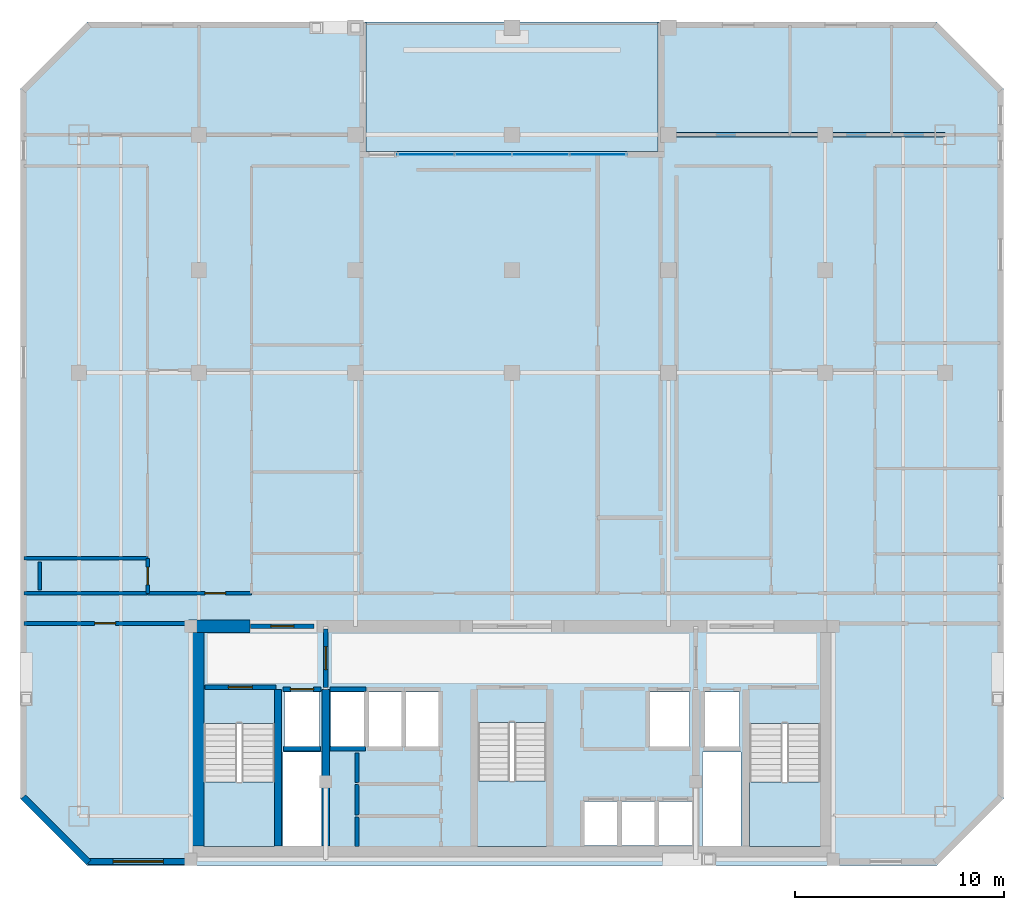
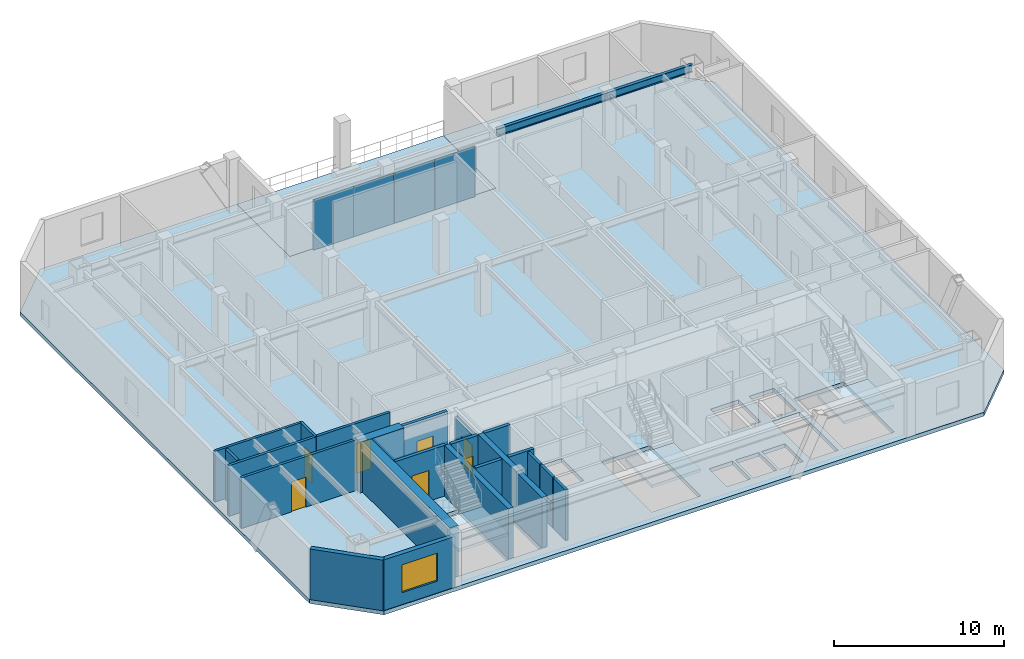
# One storey, part 4 of 9: 22 walls, 7 doors, 5 slabs, 4 plates, 2 beams, 1 window, 8 openings, 4 elements without a shape of their own.
"""IFC4 building model written with IfcOpenShell, lengths in metres."""

from ifc_helpers import new_model, si_unit, direction, frame, frame_2d, origin, origin_2d, place, context, subcontext, project, spatial, polyline, rectangle, i_section, outline, extrude, material, layer, layer_set, material_profile, profile_set, type_object, element, fill, aggregate, save


model = new_model("IFC4")

# Units and contexts
model_context = context("Model", 3, precision=1e-05, world=origin(), true_north=direction((0.0, 1.0)))
body_context = subcontext(model_context, "Body", "Model", "MODEL_VIEW")
ifc_project = project(units=[si_unit("LENGTHUNIT", "METRE"), si_unit("AREAUNIT", "SQUARE_METRE"), si_unit("VOLUMEUNIT", "CUBIC_METRE"), si_unit("PLANEANGLEUNIT", "RADIAN"), si_unit("MASSUNIT", "GRAM", prefix="KILO")], contexts=[model_context])

# Site, building, storey
site_placement = place(None, origin())
site = spatial("IfcSite", under=ifc_project, at=site_placement, CompositionType="ELEMENT")
building_placement = place(site_placement, origin())
building = spatial("IfcBuilding", under=site, at=building_placement, Name="Ventersveld Concourse Tower", CompositionType="ELEMENT")
storey_placement = place(building_placement, frame((0.0, 0.0, 204.14990234375)))
storey = spatial("IfcBuildingStorey", under=building, at=storey_placement, Name="L50", CompositionType="ELEMENT", Elevation=204.14990234375)

# Beams
ifc_material_1 = material(Name="Structural steel S355J2", Category="steel")
ifc_material_profile = material_profile(ifc_material_1, i_section(OverallWidth=0.2119140625, OverallDepth=0.54443359375, WebThickness=0.0126953125, FlangeThickness=0.021240234375, FilletRadius=0.0126953125, at=origin_2d()), Name="UB 533x210x122")
ifc_profile_set = profile_set([ifc_material_profile], Name="Structural steel S355J2")
beam_type = type_object("IfcBeamType", Name="GRD-UB533H", PredefinedType="T_BEAM", material=ifc_profile_set)
beam_1_placement = place(storey_placement, frame((36.25, 35.0, 3.35791015625), z_axis=(1.0, 0.0, 0.0), x_axis=(0.0, 1.0, 0.0)))
element("IfcBeam", 1, at=beam_1_placement, inside=storey, type_object=beam_type, Name="L50 E-W Grid Girder Y=35.00 #5", PredefinedType="T_BEAM", context=body_context, shape_type="SweptSolid", body=[
    extrude(i_section(OverallWidth=0.2119140625, OverallDepth=0.54443359375, WebThickness=0.0126953125, FlangeThickness=0.021240234375, FilletRadius=0.0126953125, at=origin_2d()), origin(), (0.0, 0.0, 1.0), 7.5),
])
beam_2_placement = place(storey_placement, frame((43.75, 35.0, 3.35791015625), z_axis=(1.0, 0.0, 0.0), x_axis=(0.0, 1.0, 0.0)))
element("IfcBeam", 2, at=beam_2_placement, inside=storey, type_object=beam_type, Name="L50 E-W Grid Girder Y=35.00 #6", PredefinedType="T_BEAM", context=body_context, shape_type="SweptSolid", body=[
    extrude(i_section(OverallWidth=0.2119140625, OverallDepth=0.54443359375, WebThickness=0.0126953125, FlangeThickness=0.021240234375, FilletRadius=0.0126953125, at=origin_2d()), origin(), (0.0, 0.0, 1.0), 5.75),
])

# Curtain wall, plates
ifc_material_2 = material(Name="Anodised aluminium EN AW-6063-T6", Category="aluminium")
curtain_wall_type = type_object("IfcCurtainWallType", Name="CW-SG-4", PredefinedType="NOTDEFINED", material=ifc_material_2)
curtain_wall_placement = place(storey_placement, origin())
curtain_wall = element("IfcCurtainWall", 3, at=curtain_wall_placement, inside=storey, type_object=curtain_wall_type, Name="L50 L50 Sky Garden Recessed Curtain Wall", PredefinedType="NOTDEFINED")
ifc_material_3 = material(Name="Low-E double glazing IGU", Category="glass")
ifc_layer_1 = layer(ifc_material_3, 0.02392578125)
ifc_layer_set_1 = layer_set([ifc_layer_1], Name="Low-E double glazing IGU")
plate_type = type_object("IfcPlateType", Name="CWP-GLZ-24", PredefinedType="CURTAIN_PANEL", material=ifc_layer_set_1)
plate_1_placement = place(storey_placement, frame((24.625, 34.050048828125, 0.02001953125), z_axis=(0.0, 0.0, 1.0), x_axis=(1.0, 0.0, 0.0)))
plate_1 = element("IfcPlate", 4, at=plate_1_placement, type_object=plate_type, Name="CW-L50-SG Glazed Panel 01-1", PredefinedType="CURTAIN_PANEL", context=body_context, shape_type="SweptSolid", body=[
    extrude(rectangle(XDim=2.739990234375, YDim=0.02392578125, at=origin_2d()), origin(), (0.0, 0.0, 1.0), 3.590087890625),
])
plate_2_placement = place(storey_placement, frame((27.375, 34.050048828125, 0.02001953125), z_axis=(0.0, 0.0, 1.0), x_axis=(1.0, 0.0, 0.0)))
plate_2 = element("IfcPlate", 5, at=plate_2_placement, type_object=plate_type, Name="CW-L50-SG Glazed Panel 02-1", PredefinedType="CURTAIN_PANEL", context=body_context, shape_type="SweptSolid", body=[
    extrude(rectangle(XDim=2.739990234375, YDim=0.02392578125, at=origin_2d()), origin(), (0.0, 0.0, 1.0), 3.590087890625),
])
plate_3_placement = place(storey_placement, frame((30.125, 34.050048828125, 0.02001953125), z_axis=(0.0, 0.0, 1.0), x_axis=(1.0, 0.0, 0.0)))
plate_3 = element("IfcPlate", 6, at=plate_3_placement, type_object=plate_type, Name="CW-L50-SG Glazed Panel 03-1", PredefinedType="CURTAIN_PANEL", context=body_context, shape_type="SweptSolid", body=[
    extrude(rectangle(XDim=2.739990234375, YDim=0.02392578125, at=origin_2d()), origin(), (0.0, 0.0, 1.0), 3.590087890625),
])
plate_4_placement = place(storey_placement, frame((32.875, 34.050048828125, 0.02001953125), z_axis=(0.0, 0.0, 1.0), x_axis=(1.0, 0.0, 0.0)))
plate_4 = element("IfcPlate", 7, at=plate_4_placement, type_object=plate_type, Name="CW-L50-SG Glazed Panel 04-1", PredefinedType="CURTAIN_PANEL", context=body_context, shape_type="SweptSolid", body=[
    extrude(rectangle(XDim=2.739990234375, YDim=0.02392578125, at=origin_2d()), origin(), (0.0, 0.0, 1.0), 3.590087890625),
])
aggregate(curtain_wall, [plate_1, plate_2, plate_3, plate_4])

# Slab
ifc_material_4 = material(Name="Concrete C50/60", Category="concrete")
ifc_layer_2 = layer(ifc_material_4, 0.280029296875)
ifc_layer_set_2 = layer_set([ifc_layer_2], Name="Concrete C50/60")
slab_type_1 = type_object("IfcSlabType", Name="SL-FLR-280", PredefinedType="FLOOR", material=ifc_layer_set_2)
slab_1_placement = place(storey_placement, frame((0.0, 0.0, -0.27978515625)))
element("IfcSlab", 8, at=slab_1_placement, inside=storey, type_object=slab_type_1, Name="L50 Composite Floor Slab", PredefinedType="FLOOR", context=body_context, shape_type="SweptSolid", body=[
    extrude(outline(polyline([(8.39990234375, 0.0), (49.10009765625, 0.0), (52.300048828125, 3.199951171875), (52.300048828125, 37.199951171875), (49.10009765625, 40.39990234375), (35.75, 40.39990234375), (35.75, 34.199951171875), (21.75, 34.199951171875), (21.75, 40.39990234375), (8.39990234375, 40.39990234375), (5.199951171875, 37.199951171875), (5.199951171875, 3.199951171875), (8.39990234375, 0.0)]), holes=[polyline([(13.97998046875, 6.794921875), (13.97998046875, 0.89990234375), (17.3798828125, 0.89990234375), (17.3798828125, 6.794921875), (13.97998046875, 6.794921875)]), polyline([(40.1201171875, 6.794921875), (40.1201171875, 0.89990234375), (43.52001953125, 0.89990234375), (43.52001953125, 6.794921875), (40.1201171875, 6.794921875)]), polyline([(27.10009765625, 6.844970703125), (27.10009765625, 0.89990234375), (30.39990234375, 0.89990234375), (30.39990234375, 6.844970703125), (27.10009765625, 6.844970703125)]), polyline([(17.85009765625, 5.699951171875), (19.530029296875, 5.699951171875), (19.530029296875, 8.300048828125), (17.85009765625, 8.300048828125), (17.85009765625, 5.699951171875)]), polyline([(37.969970703125, 5.699951171875), (39.64990234375, 5.699951171875), (39.64990234375, 8.300048828125), (37.969970703125, 8.300048828125), (37.969970703125, 5.699951171875)]), polyline([(35.35009765625, 5.699951171875), (37.25, 5.699951171875), (37.25, 8.300048828125), (35.35009765625, 8.300048828125), (35.35009765625, 5.699951171875)]), polyline([(32.2099609375, 0.949951171875), (33.81005859375, 0.949951171875), (33.81005859375, 3.050048828125), (32.2099609375, 3.050048828125), (32.2099609375, 0.949951171875)]), polyline([(33.989990234375, 0.949951171875), (35.590087890625, 0.949951171875), (35.590087890625, 3.050048828125), (33.989990234375, 3.050048828125), (33.989990234375, 0.949951171875)]), polyline([(35.77001953125, 0.949951171875), (37.3701171875, 0.949951171875), (37.3701171875, 3.050048828125), (35.77001953125, 3.050048828125), (35.77001953125, 0.949951171875)]), polyline([(20.090087890625, 5.699951171875), (21.68994140625, 5.699951171875), (21.68994140625, 8.300048828125), (20.090087890625, 8.300048828125), (20.090087890625, 5.699951171875)]), polyline([(21.8701171875, 5.699951171875), (23.469970703125, 5.699951171875), (23.469970703125, 8.300048828125), (21.8701171875, 8.300048828125), (21.8701171875, 5.699951171875)]), polyline([(23.64990234375, 5.699951171875), (25.25, 5.699951171875), (25.25, 8.300048828125), (23.64990234375, 8.300048828125), (23.64990234375, 5.699951171875)]), polyline([(17.780029296875, 0.919921875), (19.6201171875, 0.919921875), (19.6201171875, 5.419921875), (17.780029296875, 5.419921875), (17.780029296875, 0.919921875)]), polyline([(37.8798828125, 0.919921875), (39.719970703125, 0.919921875), (39.719970703125, 5.419921875), (37.8798828125, 5.419921875), (37.8798828125, 0.919921875)])]), origin(), (0.0, 0.0, 1.0), 0.27978515625),
])

# Stair, slab
stair_type_1 = type_object("IfcStairType", Name="ST-DOG-160", PredefinedType="HALF_TURN_STAIR", material=ifc_material_4)
stair_1_placement = place(storey_placement, origin())
stair_1 = element("IfcStair", 9, at=stair_1_placement, inside=storey, type_object=stair_type_1, Name="L50 Protected Tower Escape Stair ST-01", PredefinedType="HALF_TURN_STAIR")
ifc_layer_3 = layer(ifc_material_4, 0.199951171875)
ifc_layer_set_3 = layer_set([ifc_layer_3], Name="Concrete C50/60")
slab_type_2 = type_object("IfcSlabType", Name="SL-LND-200", PredefinedType="LANDING", material=ifc_layer_set_3)
slab_2_placement = place(storey_placement, frame((0.0, 0.0, 1.72509765625)))
slab_2 = element("IfcSlab", 10, at=slab_2_placement, type_object=slab_type_2, Name="ST-01 landing 1", PredefinedType="LANDING", context=body_context, shape_type="SweptSolid", body=[
    extrude(outline(polyline([(13.97998046875, 4.0), (13.97998046875, 0.89990234375), (17.3798828125, 0.89990234375), (17.3798828125, 4.0), (13.97998046875, 4.0)])), origin(), (0.0, 0.0, 1.0), 0.199951171875),
])
aggregate(stair_1, [slab_2])

stair_2_placement = place(storey_placement, origin())
stair_2 = element("IfcStair", 11, at=stair_2_placement, inside=storey, type_object=stair_type_1, Name="L50 Protected Tower Escape Stair ST-02", PredefinedType="HALF_TURN_STAIR")
slab_3_placement = place(storey_placement, frame((0.0, 0.0, 1.72509765625)))
slab_3 = element("IfcSlab", 12, at=slab_3_placement, type_object=slab_type_2, Name="ST-02 landing 1", PredefinedType="LANDING", context=body_context, shape_type="SweptSolid", body=[
    extrude(outline(polyline([(40.1201171875, 4.0), (40.1201171875, 0.89990234375), (43.52001953125, 0.89990234375), (43.52001953125, 4.0), (40.1201171875, 4.0)])), origin(), (0.0, 0.0, 1.0), 0.199951171875),
])
aggregate(stair_2, [slab_3])

stair_type_2 = type_object("IfcStairType", Name="ST-DOG-155", PredefinedType="HALF_TURN_STAIR", material=ifc_material_4)
stair_3_placement = place(storey_placement, origin())
stair_3 = element("IfcStair", 13, at=stair_3_placement, inside=storey, type_object=stair_type_2, Name="L50 Protected Central Core Escape Stair ST-03", PredefinedType="HALF_TURN_STAIR")
slab_4_placement = place(storey_placement, frame((0.0, 0.0, 1.72509765625)))
slab_4 = element("IfcSlab", 14, at=slab_4_placement, type_object=slab_type_2, Name="ST-03 landing 1", PredefinedType="LANDING", context=body_context, shape_type="SweptSolid", body=[
    extrude(outline(polyline([(27.10009765625, 4.050048828125), (27.10009765625, 0.89990234375), (30.39990234375, 0.89990234375), (30.39990234375, 4.050048828125), (27.10009765625, 4.050048828125)])), origin(), (0.0, 0.0, 1.0), 0.199951171875),
])
aggregate(stair_3, [slab_4])

# Slab
ifc_layer_4 = layer(ifc_material_4, 0.25)
ifc_layer_set_4 = layer_set([ifc_layer_4], Name="Concrete C50/60")
slab_type_3 = type_object("IfcSlabType", Name="SL-ROOF-250", PredefinedType="ROOF", material=ifc_layer_set_4)
slab_5_placement = place(storey_placement, frame((0.0, 0.0, -0.25)))
element("IfcSlab", 15, at=slab_5_placement, inside=storey, type_object=slab_type_3, Name="L50 Outdoor Terrace Slab SKYGARDEN", PredefinedType="ROOF", context=body_context, shape_type="SweptSolid", body=[
    extrude(outline(polyline([(21.75, 34.199951171875), (35.75, 34.199951171875), (35.75, 40.39990234375), (21.75, 40.39990234375), (21.75, 34.199951171875)])), origin(), (0.0, 0.0, 1.0), 0.25),
])

# Walls
ifc_layer_5 = layer(ifc_material_4, 0.35009765625)
ifc_layer_set_5 = layer_set([ifc_layer_5], Name="Concrete C50/60")
wall_type_1 = type_object("IfcWallType", Name="WL-CORE-350U", PredefinedType="SHEAR", material=ifc_layer_set_5)
for number, where, z_axis, x_axis, name in (
    (16, (17.5400390625, 0.919921875, 0.0), (0.0, 0.0, 1.0), (0.0, 1.0, 0.0), "L50 Core Internal Shear Web W-ST1-E"),
    (17, (19.820068359375, 0.919921875, 0.0), (0.0, 0.0, 1.0), (0.0, 1.0, 0.0), "L50 Core Internal Shear Web W-FF1-E"),
):
    element("IfcWall", number, at=place(storey_placement, frame(where, z_axis=z_axis, x_axis=x_axis)), inside=storey, type_object=wall_type_1, Name=name, PredefinedType="SHEAR", context=body_context, shape_type="SweptSolid", body=[
        extrude(rectangle(XDim=7.5, YDim=0.35009765625, at=frame_2d((3.75, 0.0))), origin(), (0.0, 0.0, 1.0), 3.630126953125),
    ])
ifc_layer_6 = layer(ifc_material_4, 0.60009765625)
ifc_layer_set_6 = layer_set([ifc_layer_6], Name="Concrete C50/60")
wall_type_2 = type_object("IfcWallType", Name="WL-CORE-600", PredefinedType="SHEAR", material=ifc_layer_set_6)
wall_1_placement = place(storey_placement, frame((13.699951171875, 0.919921875, 0.0), z_axis=(0.0, 0.0, 1.0), x_axis=(0.0, 1.0, 0.0)))
element("IfcWall", 18, at=wall_1_placement, inside=storey, type_object=wall_type_2, Name="L50 Rear Core West Shear Wall", PredefinedType="SHEAR", context=body_context, shape_type="SweptSolid", body=[
    extrude(rectangle(XDim=10.530029296875, YDim=0.60009765625, at=frame_2d((5.26513671875, 0.0))), origin(), (0.0, 0.0, 1.0), 3.630126953125),
])
wall_2_placement = place(storey_placement, frame((13.25, 11.449951171875, 0.0), z_axis=(0.0, 0.0, 1.0), x_axis=(1.0, 0.0, 0.0)))
element("IfcWall", 19, at=wall_2_placement, inside=storey, type_object=wall_type_2, Name="L50 Rear Core North Shear Wall NW", PredefinedType="SHEAR", context=body_context, shape_type="SweptSolid", body=[
    extrude(rectangle(XDim=2.949951171875, YDim=0.60009765625, at=frame_2d((1.47509765625, 0.0))), origin(), (0.0, 0.0, 1.0), 3.630126953125),
])
ifc_material_5 = material(Name="Fire-rated autoclaved aerated masonry blockwork", Category="masonry")
ifc_layer_7 = layer(ifc_material_5, 0.179931640625)
ifc_layer_set_7 = layer_set([ifc_layer_7], Name="Fire-rated autoclaved aerated masonry blockwork")
wall_type_3 = type_object("IfcWallType", Name="WL-CORR-180", PredefinedType="PARTITIONING", material=ifc_layer_set_7)
wall_3_placement = place(storey_placement, frame((21.320068359375, 0.909912109375, 0.0), z_axis=(0.0, 0.0, 1.0), x_axis=(0.0, 1.0, 0.0)))
element("IfcWall", 20, at=wall_3_placement, inside=storey, type_object=wall_type_3, Name="L50 Core West Wall SP-L50-RECB1S", PredefinedType="PARTITIONING", context=body_context, shape_type="SweptSolid", body=[
    extrude(rectangle(XDim=1.41015625, YDim=0.179931640625, at=frame_2d((0.705078125, 0.0))), origin(), (0.0, 0.0, 1.0), 3.630126953125),
])
wall_4_placement = place(storey_placement, frame((21.320068359375, 2.419921875, 0.0), z_axis=(0.0, 0.0, 1.0), x_axis=(0.0, 1.0, 0.0)))
element("IfcWall", 21, at=wall_4_placement, inside=storey, type_object=wall_type_3, Name="L50 Core West Wall SP-L50-RECB1M", PredefinedType="PARTITIONING", context=body_context, shape_type="SweptSolid", body=[
    extrude(rectangle(XDim=1.440185546875, YDim=0.179931640625, at=frame_2d((0.72021484375, 0.0))), origin(), (0.0, 0.0, 1.0), 3.630126953125),
])
wall_5_placement = place(storey_placement, frame((21.320068359375, 3.9599609375, 0.0), z_axis=(0.0, 0.0, 1.0), x_axis=(0.0, 1.0, 0.0)))
element("IfcWall", 22, at=wall_5_placement, inside=storey, type_object=wall_type_3, Name="L50 Core West Wall SP-L50-RECB1N", PredefinedType="PARTITIONING", context=body_context, shape_type="SweptSolid", body=[
    extrude(rectangle(XDim=1.419921875, YDim=0.179931640625, at=frame_2d((0.7099609375, 0.0))), origin(), (0.0, 0.0, 1.0), 3.630126953125),
])

# Wall, opening, door
wall_6_placement = place(storey_placement, frame((5.37255859375, 11.5849609375, 0.0), z_axis=(0.0, 0.0, 1.0), x_axis=(1.0, 0.0, 0.0)))
wall_6 = element("IfcWall", 23, at=wall_6_placement, inside=storey, type_object=wall_type_3, Name="L50 Interior Partition SP-L50-SW-GAL-SP-L50-COR", PredefinedType="PARTITIONING", context=body_context, shape_type="SweptSolid", body=[
    extrude(rectangle(XDim=7.7724609375, YDim=0.179931640625, at=frame_2d((3.88623046875, 0.0))), origin(), (0.0, 0.0, 1.0), 3.630126953125),
])
opening_1_placement = place(wall_6_placement, frame((3.38623046875, 0.0, 0.0)))
opening_1 = element("IfcOpeningElement", 24, at=opening_1_placement, cuts=wall_6, Name="Opening FD3", PredefinedType="OPENING", context=body_context, shape_type="SweptSolid", body=[
    extrude(rectangle(XDim=1.0, YDim=2.14990234375, at=frame_2d((0.5, 1.074951171875))), frame((0.0, 0.10009765625, 0.0), z_axis=(0.0, -1.0, 0.0), x_axis=(1.0, 0.0, 0.0)), (0.0, 0.0, 1.0), 0.199951171875),
])
ifc_material_6 = material(Name="Solid-core hardwood veneer timber", Category="wood")
door_type_1 = type_object("IfcDoorType", Name="DR-FLAT-100", OperationType="NOTDEFINED", PredefinedType="DOOR", material=ifc_material_6)
door_1_placement = place(opening_1_placement, origin())
door_1 = element("IfcDoor", 25, at=door_1_placement, inside=storey, type_object=door_type_1, Name="L50 Interior Door SP-L50-SW-GAL to SP-L50-COR (D-L50-2438)", OperationType="SINGLE_SWING_RIGHT", OverallHeight=2.14990234375, OverallWidth=1.0, PredefinedType="DOOR", context=body_context, shape_type="SweptSolid", body=[
    extrude(rectangle(XDim=1.0, YDim=2.14990234375, at=frame_2d((0.5, 1.074951171875))), frame((0.0, 0.02490234375, 0.0), z_axis=(0.0, -1.0, 0.0), x_axis=(1.0, 0.0, 0.0)), (0.0, 0.0, 1.0), 0.050048828125),
])
fill(opening_1, door_1)

wall_7_placement = place(storey_placement, frame((11.2900390625, 13.030029296875, 0.0), z_axis=(0.0, 0.0, 1.0), x_axis=(1.0, 0.0, 0.0)))
wall_7 = element("IfcWall", 26, at=wall_7_placement, inside=storey, type_object=wall_type_3, Name="L50 Interior Partition SP-L50-COR-SP-L50-50CW-FOY", PredefinedType="PARTITIONING", context=body_context, shape_type="SweptSolid", body=[
    extrude(rectangle(XDim=4.989990234375, YDim=0.179931640625, at=frame_2d((2.4951171875, 0.0))), origin(), (0.0, 0.0, 1.0), 3.630126953125),
])
opening_2_placement = place(wall_7_placement, frame((2.743408203125, 0.0, 0.0)))
opening_2 = element("IfcOpeningElement", 27, at=opening_2_placement, cuts=wall_7, Name="Opening FD3", PredefinedType="OPENING", context=body_context, shape_type="SweptSolid", body=[
    extrude(rectangle(XDim=1.0, YDim=2.14990234375, at=frame_2d((0.5, 1.074951171875))), frame((0.0, 0.10009765625, 0.0), z_axis=(0.0, -1.0, 0.0), x_axis=(1.0, 0.0, 0.0)), (0.0, 0.0, 1.0), 0.199951171875),
])
door_2_placement = place(opening_2_placement, origin())
door_2 = element("IfcDoor", 28, at=door_2_placement, inside=storey, type_object=door_type_1, Name="L50 Interior Door SP-L50-COR to SP-L50-50CW-FOY (FD-L50-2442)", OperationType="SINGLE_SWING_RIGHT", OverallHeight=2.14990234375, OverallWidth=1.0, PredefinedType="DOOR", context=body_context, shape_type="SweptSolid", body=[
    extrude(rectangle(XDim=1.0, YDim=2.14990234375, at=frame_2d((0.5, 1.074951171875))), frame((0.0, 0.02490234375, 0.0), z_axis=(0.0, -1.0, 0.0), x_axis=(1.0, 0.0, 0.0)), (0.0, 0.0, 1.0), 0.050048828125),
])
fill(opening_2, door_2)

# Walls
wall_8_placement = place(storey_placement, frame((5.37255859375, 13.030029296875, 0.0), z_axis=(0.0, 0.0, 1.0), x_axis=(1.0, 0.0, 0.0)))
element("IfcWall", 29, at=wall_8_placement, inside=storey, type_object=wall_type_3, Name="L50 Interior Partition SP-L50-COR-SP-L50-50CW-BATH", PredefinedType="PARTITIONING", context=body_context, shape_type="SweptSolid", body=[
    extrude(rectangle(XDim=5.887451171875, YDim=0.179931640625, at=frame_2d((2.94384765625, 0.0))), origin(), (0.0, 0.0, 1.0), 3.630126953125),
])
ifc_layer_8 = layer(ifc_material_5, 0.219970703125)
ifc_layer_set_8 = layer_set([ifc_layer_8], Name="Fire-rated autoclaved aerated masonry blockwork")
wall_type_4 = type_object("IfcWallType", Name="WL-HOIST-220", PredefinedType="SOLIDWALL", material=ifc_layer_set_8)
wall_9_placement = place(storey_placement, frame((17.800048828125, 5.590087890625, 0.0), z_axis=(0.0, 0.0, 1.0), x_axis=(1.0, 0.0, 0.0)))
element("IfcWall", 30, at=wall_9_placement, inside=storey, type_object=wall_type_4, Name="L50 Lift Hoistway Back Wall FFL-01", PredefinedType="SOLIDWALL", context=body_context, shape_type="SweptSolid", body=[
    extrude(rectangle(XDim=1.780029296875, YDim=0.219970703125, at=frame_2d((0.89013671875, 0.0))), origin(), (0.0, 0.0, 1.0), 3.630126953125),
])

# Wall, opening, door
wall_10_placement = place(storey_placement, frame((17.780029296875, 8.429931640625, 0.0), z_axis=(0.0, 0.0, 1.0), x_axis=(1.0, 0.0, 0.0)))
wall_10 = element("IfcWall", 31, at=wall_10_placement, inside=storey, type_object=wall_type_4, Name="L50 Lift Hoistway Front Wall FFL-01", PredefinedType="SOLIDWALL", context=body_context, shape_type="SweptSolid", body=[
    extrude(rectangle(XDim=1.820068359375, YDim=0.219970703125, at=frame_2d((0.91015625, 0.0))), origin(), (0.0, 0.0, 1.0), 3.630126953125),
])
opening_3_placement = place(wall_10_placement, frame((0.35009765625, 0.0, 0.0)))
opening_3 = element("IfcOpeningElement", 32, at=opening_3_placement, cuts=wall_10, Name="Opening LD1", PredefinedType="OPENING", context=body_context, shape_type="SweptSolid", body=[
    extrude(rectangle(XDim=1.1201171875, YDim=2.25, at=frame_2d((0.56005859375, 1.125))), frame((0.0, 0.1201171875, 0.0), z_axis=(0.0, -1.0, 0.0), x_axis=(1.0, 0.0, 0.0)), (0.0, 0.0, 1.0), 0.239990234375),
])
ifc_material_7 = material(Name="Brushed stainless steel 316", Category="steel")
door_type_2 = type_object("IfcDoorType", Name="LD-FF-112", OperationType="SLIDING_TO_LEFT", PredefinedType="DOOR", material=ifc_material_7)
door_3_placement = place(opening_3_placement, origin())
door_3 = element("IfcDoor", 33, at=door_3_placement, inside=storey, type_object=door_type_2, Name="L50 Lift landing door FFL-01 (LD-L50-FFL-01)", OperationType="SLIDING_TO_LEFT", OverallHeight=2.25, OverallWidth=1.1201171875, PredefinedType="DOOR", context=body_context, shape_type="SweptSolid", body=[
    extrude(rectangle(XDim=1.1201171875, YDim=2.25, at=frame_2d((0.56005859375, 1.125))), frame((0.0, 0.02490234375, 0.0), z_axis=(0.0, -1.0, 0.0), x_axis=(1.0, 0.0, 0.0)), (0.0, 0.0, 1.0), 0.050048828125),
])
fill(opening_3, door_3)

# Walls
wall_11_placement = place(storey_placement, frame((20.0400390625, 5.590087890625, 0.0), z_axis=(0.0, 0.0, 1.0), x_axis=(1.0, 0.0, 0.0)))
element("IfcWall", 34, at=wall_11_placement, inside=storey, type_object=wall_type_4, Name="L50 Lift Hoistway Back Wall PH-01", PredefinedType="SOLIDWALL", context=body_context, shape_type="SweptSolid", body=[
    extrude(rectangle(XDim=1.699951171875, YDim=0.219970703125, at=frame_2d((0.85009765625, 0.0))), origin(), (0.0, 0.0, 1.0), 3.630126953125),
])
wall_12_placement = place(storey_placement, frame((20.02001953125, 8.429931640625, 0.0), z_axis=(0.0, 0.0, 1.0), x_axis=(1.0, 0.0, 0.0)))
element("IfcWall", 35, at=wall_12_placement, inside=storey, type_object=wall_type_4, Name="L50 Lift Hoistway Front Wall PH-01", PredefinedType="SOLIDWALL", context=body_context, shape_type="SweptSolid", body=[
    extrude(rectangle(XDim=1.739990234375, YDim=0.219970703125, at=frame_2d((0.8701171875, 0.0))), origin(), (0.0, 0.0, 1.0), 3.630126953125),
])

# Wall, opening, door
wall_13_placement = place(storey_placement, frame((14.0400390625, 8.52001953125, 0.0), z_axis=(0.0, 0.0, 1.0), x_axis=(1.0, 0.0, 0.0)))
wall_13 = element("IfcWall", 36, at=wall_13_placement, inside=storey, type_object=wall_type_4, Name="L50 Escape Stair ST01 Fire Wall", PredefinedType="SOLIDWALL", context=body_context, shape_type="SweptSolid", body=[
    extrude(rectangle(XDim=3.39990234375, YDim=0.219970703125, at=frame_2d((1.699951171875, 0.0))), origin(), (0.0, 0.0, 1.0), 3.630126953125),
])
opening_4_placement = place(wall_13_placement, frame((1.125, 0.0, 0.0)))
opening_4 = element("IfcOpeningElement", 37, at=opening_4_placement, cuts=wall_13, Name="Opening FD1", PredefinedType="OPENING", context=body_context, shape_type="SweptSolid", body=[
    extrude(rectangle(XDim=1.14990234375, YDim=2.199951171875, at=frame_2d((0.574951171875, 1.10009765625))), frame((0.0, 0.1201171875, 0.0), z_axis=(0.0, -1.0, 0.0), x_axis=(1.0, 0.0, 0.0)), (0.0, 0.0, 1.0), 0.239990234375),
])
ifc_material_8 = material(Name="Galvanised painted steel", Category="steel")
door_type_3 = type_object("IfcDoorType", Name="DR-STAIR-115", OperationType="NOTDEFINED", PredefinedType="DOOR", material=ifc_material_8)
door_4_placement = place(opening_4_placement, origin())
door_4 = element("IfcDoor", 38, at=door_4_placement, inside=storey, type_object=door_type_3, Name="L50 Escape Stair Door ST01 (SD-L50-2426)", OperationType="SINGLE_SWING_LEFT", OverallHeight=2.199951171875, OverallWidth=1.14990234375, PredefinedType="DOOR", context=body_context, shape_type="SweptSolid", body=[
    extrude(rectangle(XDim=1.14990234375, YDim=2.199951171875, at=frame_2d((0.574951171875, 1.10009765625))), frame((0.0, 0.02490234375, 0.0), z_axis=(0.0, -1.0, 0.0), x_axis=(1.0, 0.0, 0.0)), (0.0, 0.0, 1.0), 0.050048828125),
])
fill(opening_4, door_4)

wall_14_placement = place(storey_placement, frame((19.820068359375, 8.52001953125, 0.0), z_axis=(0.0, 0.0, 1.0), x_axis=(0.0, 1.0, 0.0)))
wall_14 = element("IfcWall", 39, at=wall_14_placement, inside=storey, type_object=wall_type_4, Name="L50 Firefighting Lobby Smoke-Stop Wall FFLW-SEP", PredefinedType="SOLIDWALL", context=body_context, shape_type="SweptSolid", body=[
    extrude(rectangle(XDim=2.800048828125, YDim=0.219970703125, at=frame_2d((1.39990234375, 0.0))), origin(), (0.0, 0.0, 1.0), 3.085693359375),
])
opening_5_placement = place(wall_14_placement, frame((0.85009765625, 0.0, 0.0)))
opening_5 = element("IfcOpeningElement", 40, at=opening_5_placement, cuts=wall_14, Name="Opening FD2", PredefinedType="OPENING", context=body_context, shape_type="SweptSolid", body=[
    extrude(rectangle(XDim=1.10009765625, YDim=2.199951171875, at=frame_2d((0.550048828125, 1.10009765625))), frame((0.0, 0.1201171875, 0.0), z_axis=(0.0, -1.0, 0.0), x_axis=(1.0, 0.0, 0.0)), (0.0, 0.0, 1.0), 0.239990234375),
])
door_type_4 = type_object("IfcDoorType", Name="DR-FFL-110", OperationType="NOTDEFINED", PredefinedType="DOOR", material=ifc_material_8)
door_5_placement = place(opening_5_placement, origin())
door_5 = element("IfcDoor", 41, at=door_5_placement, inside=storey, type_object=door_type_4, Name="L50 Firefighting Lobby Door FFLW-SEP (FD-L50-2429)", OperationType="SINGLE_SWING_LEFT", OverallHeight=2.199951171875, OverallWidth=1.10009765625, PredefinedType="DOOR", context=body_context, shape_type="SweptSolid", body=[
    extrude(rectangle(XDim=1.10009765625, YDim=2.199951171875, at=frame_2d((0.550048828125, 1.10009765625))), frame((0.0, 0.02490234375, 0.0), z_axis=(0.0, -1.0, 0.0), x_axis=(1.0, 0.0, 0.0)), (0.0, 0.0, 1.0), 0.050048828125),
])
fill(opening_5, door_5)

wall_15_placement = place(storey_placement, frame((16.22998046875, 11.449951171875, 0.0), z_axis=(0.0, 0.0, 1.0), x_axis=(1.0, 0.0, 0.0)))
wall_15 = element("IfcWall", 42, at=wall_15_placement, inside=storey, type_object=wall_type_4, Name="L50 Core North Fire Portal FFLW-OUT", PredefinedType="SOLIDWALL", context=body_context, shape_type="SweptSolid", body=[
    extrude(rectangle(XDim=3.0400390625, YDim=0.219970703125, at=frame_2d((1.52001953125, 0.0))), origin(), (0.0, 0.0, 1.0), 3.630126953125),
])
opening_6_placement = place(wall_15_placement, frame((0.969970703125, 0.0, 0.0)))
opening_6 = element("IfcOpeningElement", 43, at=opening_6_placement, cuts=wall_15, Name="Opening FD2", PredefinedType="OPENING", context=body_context, shape_type="SweptSolid", body=[
    extrude(rectangle(XDim=1.10009765625, YDim=2.199951171875, at=frame_2d((0.550048828125, 1.10009765625))), frame((0.0, 0.1201171875, 0.0), z_axis=(0.0, -1.0, 0.0), x_axis=(1.0, 0.0, 0.0)), (0.0, 0.0, 1.0), 0.239990234375),
])
door_6_placement = place(opening_6_placement, origin())
door_6 = element("IfcDoor", 44, at=door_6_placement, inside=storey, type_object=door_type_4, Name="L50 Core Lobby Fire Door FFLW-OUT (FD-L50-2431)", OperationType="SINGLE_SWING_RIGHT", OverallHeight=2.199951171875, OverallWidth=1.10009765625, PredefinedType="DOOR", context=body_context, shape_type="SweptSolid", body=[
    extrude(rectangle(XDim=1.10009765625, YDim=2.199951171875, at=frame_2d((0.550048828125, 1.10009765625))), frame((0.0, 0.02490234375, 0.0), z_axis=(0.0, -1.0, 0.0), x_axis=(1.0, 0.0, 0.0)), (0.0, 0.0, 1.0), 0.050048828125),
])
fill(opening_6, door_6)

# Wall, opening, window
ifc_material_9 = material(Name="Precast concrete C45/55", Category="concrete")
ifc_layer_9 = layer(ifc_material_9, 0.300048828125)
ifc_layer_set_9 = layer_set([ifc_layer_9], Name="Precast concrete C45/55")
wall_type_5 = type_object("IfcWallType", Name="WL-PREC-300", PredefinedType="SOLIDWALL", material=ifc_layer_set_9)
wall_16_placement = place(storey_placement, frame((8.43994140625, 0.179931640625, 0.0), z_axis=(0.0, 0.0, 1.0), x_axis=(1.0, 0.0, 0.0)))
wall_16 = element("IfcWall", 45, at=wall_16_placement, inside=storey, type_object=wall_type_5, Name="L50 South-West Flank Precast Wall", PredefinedType="SOLIDWALL", context=body_context, shape_type="SweptSolid", body=[
    extrude(rectangle(XDim=4.81005859375, YDim=0.300048828125, at=frame_2d((2.405029296875, 0.0))), origin(), (0.0, 0.0, 1.0), 3.630126953125),
])
opening_7_placement = place(wall_16_placement, frame((1.205078125, 0.0, 0.85009765625)))
opening_7 = element("IfcOpeningElement", 46, at=opening_7_placement, cuts=wall_16, Name="Opening W5", PredefinedType="OPENING", context=body_context, shape_type="SweptSolid", body=[
    extrude(rectangle(XDim=2.39990234375, YDim=2.0, at=frame_2d((1.199951171875, 1.0))), frame((0.0, 0.16015625, 0.0), z_axis=(0.0, -1.0, 0.0), x_axis=(1.0, 0.0, 0.0)), (0.0, 0.0, 1.0), 0.320068359375),
])
ifc_material_10 = material(Name="Tempered acoustic Low-E IGU", Category="glass")
window_type = type_object("IfcWindowType", Name="WIN-240x210", PartitioningType="SINGLE_PANEL", PredefinedType="WINDOW", material=ifc_material_10)
window_placement = place(opening_7_placement, origin())
window = element("IfcWindow", 47, at=window_placement, inside=storey, type_object=window_type, Name="L50 Punched Low-E Window W-0703", OverallHeight=2.0, OverallWidth=2.39990234375, PartitioningType="SINGLE_PANEL", PredefinedType="WINDOW", context=body_context, shape_type="SweptSolid", body=[
    extrude(rectangle(XDim=2.39990234375, YDim=2.0, at=frame_2d((1.199951171875, 1.0))), frame((0.0, 0.030029296875, 0.0), z_axis=(0.0, -1.0, 0.0), x_axis=(1.0, 0.0, 0.0)), (0.0, 0.0, 1.0), 0.06005859375),
])
fill(opening_7, window)

# Wall
wall_17_placement = place(storey_placement, frame((5.33447265625, 3.27783203125, 0.0), z_axis=(0.0, 0.0, 1.0), x_axis=(0.707106781187, -0.707106781187, 0.0)))
element("IfcWall", 48, at=wall_17_placement, inside=storey, type_object=wall_type_5, Name="L50 Highveld Precast Facade Wall E12", PredefinedType="SOLIDWALL", context=body_context, shape_type="SweptSolid", body=[
    extrude(rectangle(XDim=4.4453125, YDim=0.300048828125, at=frame_2d((2.22265625, 0.0))), origin(), (0.0, 0.0, 1.0), 3.630126953125),
])

# Wall, opening, door
ifc_material_11 = material(Name="Autoclaved aerated masonry blockwork", Category="masonry")
ifc_layer_10 = layer(ifc_material_11, 0.1650390625)
ifc_layer_set_10 = layer_set([ifc_layer_10], Name="Autoclaved aerated masonry blockwork")
wall_type_6 = type_object("IfcWallType", Name="WL-WET-165", PredefinedType="PLUMBINGWALL", material=ifc_layer_set_10)
wall_18_placement = place(storey_placement, frame((11.294921875, 13.014892578125, 0.0), z_axis=(0.0, 0.0, 1.0), x_axis=(0.0, 1.0, 0.0)))
wall_18 = element("IfcWall", 49, at=wall_18_placement, inside=storey, type_object=wall_type_6, Name="L50 Interior Partition SP-L50-50CW-FOY-SP-L50-50CW-BATH", PredefinedType="PLUMBINGWALL", context=body_context, shape_type="SweptSolid", body=[
    extrude(rectangle(XDim=1.690185546875, YDim=0.1650390625, at=frame_2d((0.84521484375, 0.0))), origin(), (0.0, 0.0, 1.0), 3.630126953125),
])
opening_8_placement = place(wall_18_placement, frame((0.419921875, 0.0, 0.0)))
opening_8 = element("IfcOpeningElement", 50, at=opening_8_placement, cuts=wall_18, Name="Opening ID2", PredefinedType="OPENING", context=body_context, shape_type="SweptSolid", body=[
    extrude(rectangle(XDim=0.85009765625, YDim=2.10009765625, at=frame_2d((0.425048828125, 1.050048828125))), frame((0.0, 0.092529296875, 0.0), z_axis=(0.0, -1.0, 0.0), x_axis=(1.0, 0.0, 0.0)), (0.0, 0.0, 1.0), 0.18505859375),
])
door_type_5 = type_object("IfcDoorType", Name="DR-BATH-085", OperationType="NOTDEFINED", PredefinedType="DOOR", material=ifc_material_6)
door_7_placement = place(opening_8_placement, origin())
door_7 = element("IfcDoor", 51, at=door_7_placement, inside=storey, type_object=door_type_5, Name="L50 Interior Door SP-L50-50CW-FOY to SP-L50-50CW-BATH (D-L50-2446)", OperationType="SINGLE_SWING_RIGHT", OverallHeight=2.10009765625, OverallWidth=0.85009765625, PredefinedType="DOOR", context=body_context, shape_type="SweptSolid", body=[
    extrude(rectangle(XDim=0.85009765625, YDim=2.10009765625, at=frame_2d((0.425048828125, 1.050048828125))), frame((0.0, 0.02490234375, 0.0), z_axis=(0.0, -1.0, 0.0), x_axis=(1.0, 0.0, 0.0)), (0.0, 0.0, 1.0), 0.050048828125),
])
fill(opening_8, door_7)

# Walls
wall_19_placement = place(storey_placement, frame((5.37255859375, 14.699951171875, 0.0), z_axis=(0.0, 0.0, 1.0), x_axis=(1.0, 0.0, 0.0)))
element("IfcWall", 52, at=wall_19_placement, inside=storey, type_object=wall_type_6, Name="L50 Interior Partition SP-L50-50CW-BATH-SP-L50-50CW-OFFL0", PredefinedType="PLUMBINGWALL", context=body_context, shape_type="SweptSolid", body=[
    extrude(rectangle(XDim=5.927490234375, YDim=0.1650390625, at=frame_2d((2.9638671875, 0.0))), origin(), (0.0, 0.0, 1.0), 3.630126953125),
])
wall_20_placement = place(storey_placement, frame((6.1201171875, 13.195068359375, 0.0), z_axis=(0.0, 0.0, 1.0), x_axis=(0.0, 1.0, 0.0)))
element("IfcWall", 53, at=wall_20_placement, inside=storey, type_object=wall_type_6, Name="L50 Room Enclosure Wall SP-L50-50CW-BATH", PredefinedType="PLUMBINGWALL", context=body_context, shape_type="SweptSolid", body=[
    extrude(rectangle(XDim=1.33984375, YDim=0.1650390625, at=frame_2d((0.669921875, 0.0))), origin(), (0.0, 0.0, 1.0), 3.630126953125),
])

save(model, "model.ifc")
